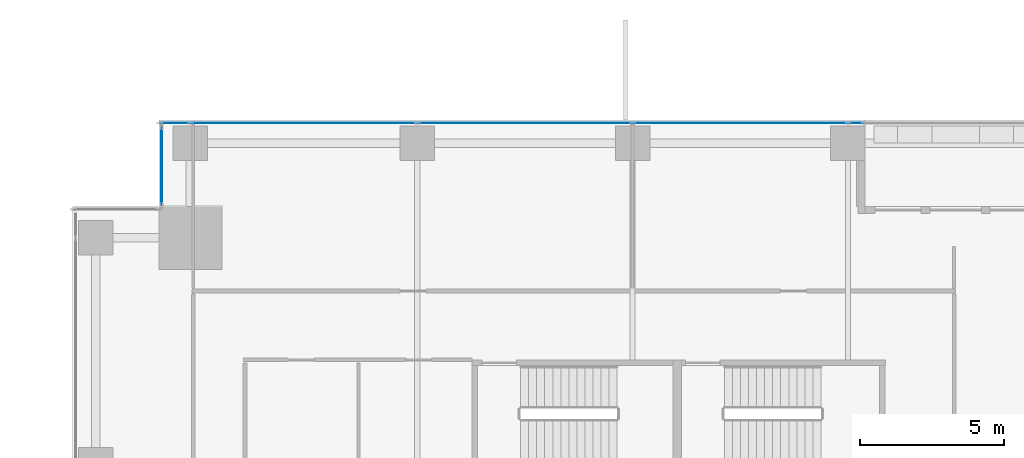
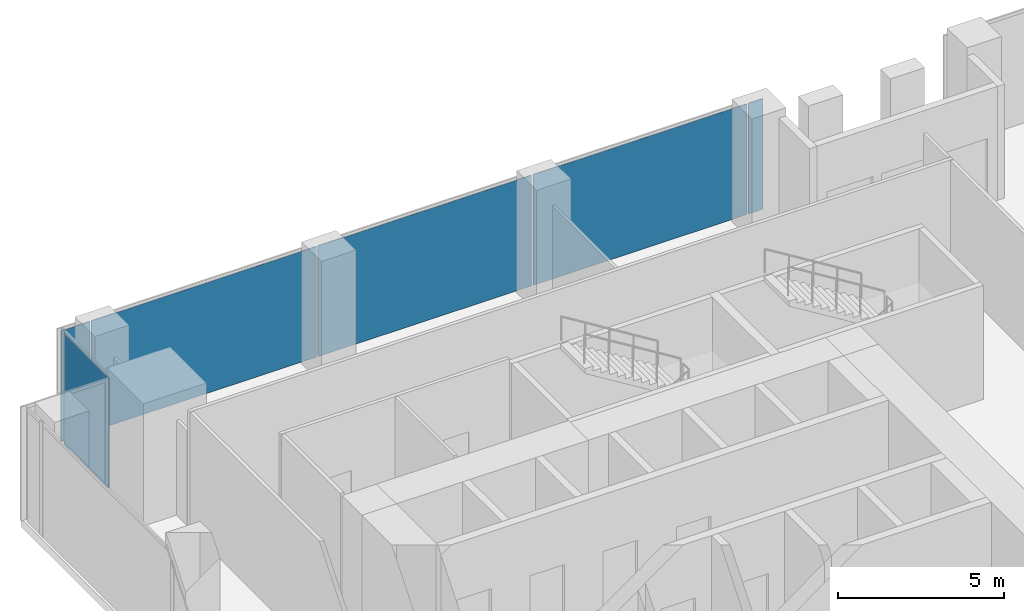
# One storey, part 25 of 33: 6 plates, 2 elements without a shape of their own.
"""IFC4 building model written with IfcOpenShell, lengths in metres."""

from ifc_helpers import new_model, si_unit, direction, frame, origin, origin_2d, place, context, subcontext, project, spatial, rectangle, extrude, source, transform, mapped, material, layer, layer_set, type_object, element, aggregate, save


model = new_model("IFC4")

# Units and contexts
model_context = context("Model", 3, precision=1e-05, world=origin(), true_north=direction((0.0, 1.0)))
body_context = subcontext(model_context, "Body", "Model", "MODEL_VIEW")
ifc_project = project(units=[si_unit("LENGTHUNIT", "METRE"), si_unit("AREAUNIT", "SQUARE_METRE"), si_unit("VOLUMEUNIT", "CUBIC_METRE"), si_unit("PLANEANGLEUNIT", "RADIAN"), si_unit("MASSUNIT", "GRAM", prefix="KILO")], contexts=[model_context])

# Site, building, storey
site_placement = place(None, origin())
site = spatial("IfcSite", under=ifc_project, at=site_placement, CompositionType="ELEMENT")
building_placement = place(site_placement, origin())
building = spatial("IfcBuilding", under=site, at=building_placement, Name="Khomas Fold Tower", CompositionType="ELEMENT")
storey_placement = place(building_placement, frame((0.0, 0.0, 91.5)))
storey = spatial("IfcBuildingStorey", under=building, at=storey_placement, Name="L19", CompositionType="ELEMENT", Elevation=91.5)

# Curtain wall, plates
ifc_material_1 = material(Name="Aluminium framed double glazing", Category="aluminium")
curtain_wall_type = type_object("IfcCurtainWallType", Name="SK-Unitised clear-glass wall, growing floors CW1", PredefinedType="NOTDEFINED", material=ifc_material_1)
curtain_wall_1_placement = place(storey_placement, origin())
curtain_wall_1 = element("IfcCurtainWall", 1, at=curtain_wall_1_placement, inside=storey, type_object=curtain_wall_type, Name="CW1 run L19 06-1", PredefinedType="NOTDEFINED")
ifc_material_2 = material(Name="Clear double glazed unit")
ifc_layer = layer(ifc_material_2, 0.031982421875)
ifc_layer_set = layer_set([ifc_layer], Name="Clear double glazed unit")
plate_type = type_object("IfcPlateType", Name="SK-Unitised clear-glass wall, growing floors glass panel CW1-P", PredefinedType="CURTAIN_PANEL", material=ifc_layer_set)
shared_shape_1 = source(origin(), body_context, "Body", "SweptSolid", [
    extrude(rectangle(XDim=7.840087890625, YDim=0.031982421875, at=origin_2d()), origin(), (0.0, 0.0, 1.0), 4.080078125),
])
plate_1_placement = place(storey_placement, frame((8.050048828125, 53.89990234375, 0.0), z_axis=(0.0, 0.0, 1.0), x_axis=(-1.0, 0.0, 0.0)))
plate_1 = element("IfcPlate", 2, at=plate_1_placement, type_object=plate_type, Name="CW1 glass panel 4", PredefinedType="CURTAIN_PANEL", context=body_context, shape_type="MappedRepresentation", body=[
    mapped(shared_shape_1, transform((0.0, 0.0, 0.0))),
])
shared_shape_2 = source(origin(), body_context, "Body", "SweptSolid", [
    extrude(rectangle(XDim=7.43994140625, YDim=0.031982421875, at=origin_2d()), origin(), (0.0, 0.0, 1.0), 4.080078125),
])
plate_2_placement = place(storey_placement, frame((23.25, 53.89990234375, 0.0), z_axis=(0.0, 0.0, 1.0), x_axis=(-1.0, 0.0, 0.0)))
plate_2 = element("IfcPlate", 3, at=plate_2_placement, type_object=plate_type, Name="CW1 glass panel 2", PredefinedType="CURTAIN_PANEL", context=body_context, shape_type="MappedRepresentation", body=[
    mapped(shared_shape_2, transform((0.0, 0.0, 0.0))),
])
plate_3_placement = place(storey_placement, frame((15.75, 53.89990234375, 0.0), z_axis=(0.0, 0.0, 1.0), x_axis=(-1.0, 0.0, 0.0)))
plate_3 = element("IfcPlate", 4, at=plate_3_placement, type_object=plate_type, Name="CW1 glass panel 3", PredefinedType="CURTAIN_PANEL", context=body_context, shape_type="MappedRepresentation", body=[
    mapped(shared_shape_2, transform((0.0, 0.0, 0.0))),
])
shared_shape_3 = source(origin(), body_context, "Body", "SweptSolid", [
    extrude(rectangle(XDim=1.010009765625, YDim=0.031982421875, at=origin_2d()), origin(), (0.0, 0.0, 1.0), 4.080078125),
])
plate_4_placement = place(storey_placement, frame((3.56494140625, 53.89990234375, 0.0), z_axis=(0.0, 0.0, 1.0), x_axis=(-1.0, 0.0, 0.0)))
plate_4 = element("IfcPlate", 5, at=plate_4_placement, type_object=plate_type, Name="CW1 glass panel 5", PredefinedType="CURTAIN_PANEL", context=body_context, shape_type="MappedRepresentation", body=[
    mapped(shared_shape_3, transform((0.0, 0.0, 0.0))),
])

# Curtain wall, plate
curtain_wall_2_placement = place(storey_placement, origin())
curtain_wall_2 = element("IfcCurtainWall", 6, at=curtain_wall_2_placement, inside=storey, type_object=curtain_wall_type, Name="CW1 corner return L19 07", PredefinedType="NOTDEFINED")
shared_shape_4 = source(origin(), body_context, "Body", "SweptSolid", [
    extrude(rectangle(XDim=2.679931640625, YDim=0.031982421875, at=origin_2d()), origin(), (0.0, 0.0, 1.0), 4.080078125),
])
plate_5_placement = place(storey_placement, frame((3.10009765625, 52.39990234375, 0.0), z_axis=(0.0, 0.0, 1.0), x_axis=(0.0, -1.0, 0.0)))
plate_5 = element("IfcPlate", 7, at=plate_5_placement, type_object=plate_type, Name="CW1 glass panel 1", PredefinedType="CURTAIN_PANEL", context=body_context, shape_type="MappedRepresentation", body=[
    mapped(shared_shape_4, transform((0.0, 0.0, 0.0))),
])
aggregate(curtain_wall_2, [plate_5])

# Plate
shared_shape_5 = source(origin(), body_context, "Body", "SweptSolid", [
    extrude(rectangle(XDim=0.510009765625, YDim=0.031982421875, at=origin_2d()), origin(), (0.0, 0.0, 1.0), 4.080078125),
])
plate_6_placement = place(storey_placement, frame((27.284912109375, 53.89990234375, 0.0), z_axis=(0.0, 0.0, 1.0), x_axis=(-1.0, 0.0, 0.0)))
plate_6 = element("IfcPlate", 8, at=plate_6_placement, type_object=plate_type, Name="CW1 glass panel 1", PredefinedType="CURTAIN_PANEL", context=body_context, shape_type="MappedRepresentation", body=[
    mapped(shared_shape_5, transform((0.0, 0.0, 0.0))),
])

aggregate(curtain_wall_1, [plate_6, plate_2, plate_3, plate_1, plate_4])

save(model, "model.ifc")
